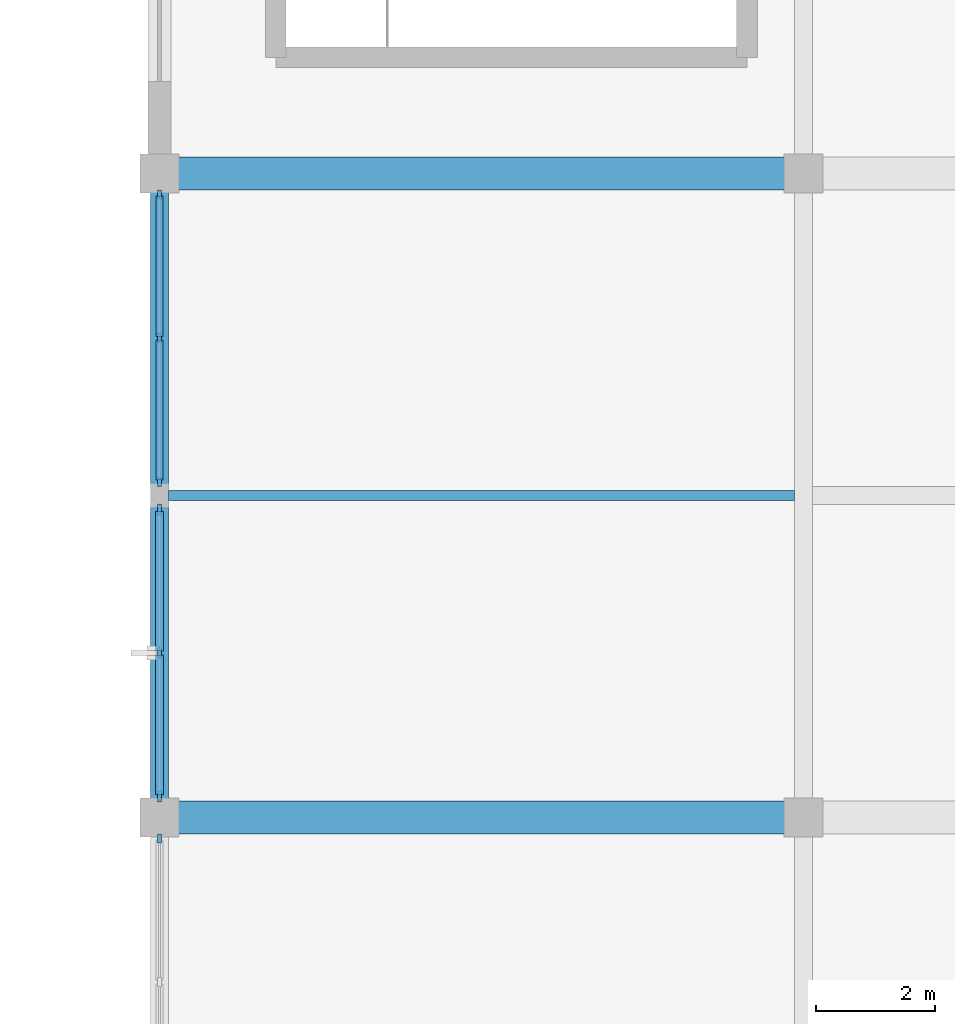
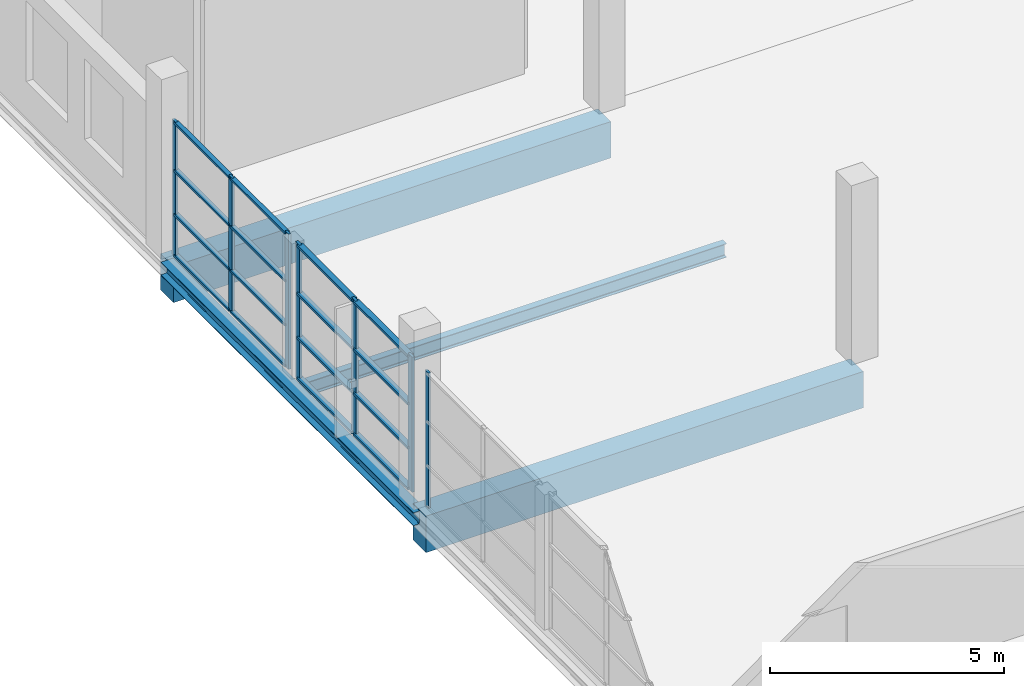
# One storey, part 67 of 142: 23 members, 4 beams, 3 elements without a shape of their own.
"""IFC4 building model written with IfcOpenShell, lengths in metres."""

from ifc_helpers import new_model, si_unit, direction, frame, origin, origin_2d, place, context, subcontext, project, spatial, rectangle, i_section, extrude, material, material_profile, profile_set, type_object, element, aggregate, save


model = new_model("IFC4")

# Units and contexts
model_context = context("Model", 3, precision=1e-05, world=origin(), true_north=direction((0.0, 1.0)))
body_context = subcontext(model_context, "Body", "Model", "MODEL_VIEW")
ifc_project = project(units=[si_unit("LENGTHUNIT", "METRE"), si_unit("AREAUNIT", "SQUARE_METRE"), si_unit("VOLUMEUNIT", "CUBIC_METRE"), si_unit("PLANEANGLEUNIT", "RADIAN"), si_unit("MASSUNIT", "GRAM", prefix="KILO")], contexts=[model_context])

# Site, building, storey
site_placement = place(None, origin())
site = spatial("IfcSite", under=ifc_project, at=site_placement, CompositionType="ELEMENT")
building_placement = place(site_placement, origin())
building = spatial("IfcBuilding", under=site, at=building_placement, Name="Zwinboog Wholesale Market", CompositionType="ELEMENT")
storey_placement = place(building_placement, frame((0.0, 0.0, 5.39990234375)))
storey = spatial("IfcBuildingStorey", under=building, at=storey_placement, Name="L01", CompositionType="ELEMENT", Elevation=5.39990234375)

# Beams
ifc_material_1 = material(Name="Precast concrete C45/55", Category="concrete")
ifc_material_profile_1 = material_profile(ifc_material_1, rectangle(XDim=0.550048828125, YDim=0.949951171875, at=origin_2d()), Name="PC 550x950")
ifc_profile_set_1 = profile_set([ifc_material_profile_1], Name="Precast concrete C45/55")
beam_type_1 = type_object("IfcBeamType", Name="BT-02", PredefinedType="BEAM", material=ifc_profile_set_1)
for number, where, z_axis, x_axis, name in (
    (1, (151.199951171875, 64.800048828125, -0.77978515625), (1.0, 0.0, 0.0), (0.0, 1.0, 0.0), "BG-02 (BMG-L01-1512-0648-0497)"),
    (2, (151.199951171875, 75.60009765625, -0.806884765625), (1.0, 0.0, 0.0), (0.0, 1.0, 0.0), "BG-02 (BMG-L01-1512-0756-0507)"),
):
    element("IfcBeam", number, at=place(storey_placement, frame(where, z_axis=z_axis, x_axis=x_axis)), inside=storey, type_object=beam_type_1, Name=name, PredefinedType="BEAM", context=body_context, shape_type="SweptSolid", body=[
        extrude(rectangle(XDim=0.550048828125, YDim=0.949951171875, at=origin_2d()), origin(), (0.0, 0.0, 1.0), 10.800048828125),
    ])
ifc_material_2 = material(Name="Steel S355", Category="steel")
ifc_material_profile_2 = material_profile(ifc_material_2, i_section(OverallWidth=0.300048828125, OverallDepth=0.35009765625, WebThickness=0.010009765625, FlangeThickness=0.017578125, FilletRadius=0.027099609375, at=origin_2d()), Name="HEA 360")
ifc_profile_set_2 = profile_set([ifc_material_profile_2], Name="Steel S355")
beam_type_2 = type_object("IfcBeamType", Name="BT-17", PredefinedType="BEAM", material=ifc_profile_set_2)
beam_1_placement = place(storey_placement, frame((151.199951171875, 64.800048828125, -0.5068359375), z_axis=(0.0, 1.0, 0.0), x_axis=(-1.0, 0.0, 0.0)))
element("IfcBeam", 3, at=beam_1_placement, inside=storey, type_object=beam_type_2, Name="SB-04 (BMG-L01-1512-0648-0727)", PredefinedType="BEAM", context=body_context, shape_type="SweptSolid", body=[
    extrude(i_section(OverallWidth=0.300048828125, OverallDepth=0.35009765625, WebThickness=0.010009765625, FlangeThickness=0.017578125, FilletRadius=0.027099609375, at=origin_2d()), origin(), (0.0, 0.0, 1.0), 10.800048828125),
])
ifc_material_profile_3 = material_profile(ifc_material_2, i_section(OverallWidth=0.169921875, OverallDepth=0.360107421875, WebThickness=0.008056640625, FlangeThickness=0.0126953125, FilletRadius=0.01806640625, at=origin_2d()), Name="IPE 360")
ifc_profile_set_3 = profile_set([ifc_material_profile_3], Name="Steel S355")
beam_type_3 = type_object("IfcBeamType", Name="BT-20", PredefinedType="JOIST", material=ifc_profile_set_3)
beam_2_placement = place(storey_placement, frame((151.35009765625, 70.199951171875, -0.48486328125), z_axis=(1.0, 0.0, 0.0), x_axis=(0.0, 1.0, 0.0)))
element("IfcBeam", 4, at=beam_2_placement, inside=storey, type_object=beam_type_3, Name="SJ-03 (BMG-L01-1514-0702-0848)", PredefinedType="JOIST", context=body_context, shape_type="SweptSolid", body=[
    extrude(i_section(OverallWidth=0.169921875, OverallDepth=0.360107421875, WebThickness=0.008056640625, FlangeThickness=0.0126953125, FilletRadius=0.01806640625, at=origin_2d()), origin(), (0.0, 0.0, 1.0), 10.5),
])

# Curtain wall, members
ifc_material_3 = material(Name="Aluminium thermally broken curtain wall", Category="aluminium")
curtain_wall_type_1 = type_object("IfcCurtainWallType", Name="CWT-HALL-24", PredefinedType="USERDEFINED", material=ifc_material_3)
curtain_wall_1_placement = place(storey_placement, origin())
curtain_wall_1 = element("IfcCurtainWall", 5, at=curtain_wall_1_placement, inside=storey, type_object=curtain_wall_type_1, Name="CW-03 (CW-L01-129)", ObjectType="UNITIZED_CURTAIN_WALL", PredefinedType="USERDEFINED")
ifc_material_4 = material(Name="Aluminium EN AW-6060", Category="aluminium")
ifc_material_profile_4 = material_profile(ifc_material_4, rectangle(XDim=0.06494140625, YDim=0.179931640625, at=origin_2d()), Name="AL 65x180")
ifc_profile_set_4 = profile_set([ifc_material_profile_4], Name="Aluminium EN AW-6060")
member_type_1 = type_object("IfcMemberType", Name="CWM-65x180", PredefinedType="MULLION", material=ifc_profile_set_4)
member_1_placement = place(storey_placement, frame((151.199951171875, 65.152587890625, 0.0), z_axis=(0.0, 0.0, 1.0), x_axis=(-1.0, 0.0, 0.0)))
member_1 = element("IfcMember", 6, at=member_1_placement, type_object=member_type_1, Name="CW-03 mullion 1", PredefinedType="MULLION", context=body_context, shape_type="SweptSolid", body=[
    extrude(rectangle(XDim=0.06494140625, YDim=0.179931640625, at=origin_2d()), origin(), (0.0, 0.0, 1.0), 3.530029296875),
])
member_2_placement = place(storey_placement, frame((151.199951171875, 67.56005859375, 0.0), z_axis=(0.0, 0.0, 1.0), x_axis=(-1.0, 0.0, 0.0)))
member_2 = element("IfcMember", 7, at=member_2_placement, type_object=member_type_1, Name="CW-03 mullion 2", PredefinedType="MULLION", context=body_context, shape_type="SweptSolid", body=[
    extrude(rectangle(XDim=0.06494140625, YDim=0.179931640625, at=origin_2d()), origin(), (0.0, 0.0, 1.0), 3.530029296875),
])
member_3_placement = place(storey_placement, frame((151.199951171875, 69.967529296875, 0.0), z_axis=(0.0, 0.0, 1.0), x_axis=(-1.0, 0.0, 0.0)))
member_3 = element("IfcMember", 8, at=member_3_placement, type_object=member_type_1, Name="CW-03 mullion 3", PredefinedType="MULLION", context=body_context, shape_type="SweptSolid", body=[
    extrude(rectangle(XDim=0.06494140625, YDim=0.179931640625, at=origin_2d()), origin(), (0.0, 0.0, 1.0), 3.530029296875),
])

# Curtain wall, member
curtain_wall_type_2 = type_object("IfcCurtainWallType", Name="CWT-STALL-20", PredefinedType="USERDEFINED", material=ifc_material_3)
curtain_wall_2_placement = place(storey_placement, origin())
curtain_wall_2 = element("IfcCurtainWall", 9, at=curtain_wall_2_placement, inside=storey, type_object=curtain_wall_type_2, Name="CW-02 (CW-L01-128)", ObjectType="STOREFRONT_GLAZING", PredefinedType="USERDEFINED")
ifc_material_profile_5 = material_profile(ifc_material_4, rectangle(XDim=0.06005859375, YDim=0.14990234375, at=origin_2d()), Name="AL 60x150")
ifc_profile_set_5 = profile_set([ifc_material_profile_5], Name="Aluminium EN AW-6060")
member_type_2 = type_object("IfcMemberType", Name="CWM-60x150", PredefinedType="MULLION", material=ifc_profile_set_5)
member_4_placement = place(storey_placement, frame((151.199951171875, 64.449951171875, 0.0), z_axis=(0.0, 0.0, 1.0), x_axis=(-1.0, 0.0, 0.0)))
member_4 = element("IfcMember", 10, at=member_4_placement, type_object=member_type_2, Name="CW-02 mullion 3", PredefinedType="MULLION", context=body_context, shape_type="SweptSolid", body=[
    extrude(rectangle(XDim=0.06005859375, YDim=0.14990234375, at=origin_2d()), origin(), (0.0, 0.0, 1.0), 3.530029296875),
])
aggregate(curtain_wall_2, [member_4])

# Curtain wall, members
curtain_wall_type_3 = type_object("IfcCurtainWallType", Name="CWT-GAL-16", PredefinedType="USERDEFINED", material=ifc_material_3)
curtain_wall_3_placement = place(storey_placement, origin())
curtain_wall_3 = element("IfcCurtainWall", 11, at=curtain_wall_3_placement, inside=storey, type_object=curtain_wall_type_3, Name="CW-04 (CW-L01-130)", ObjectType="UNITIZED_CURTAIN_WALL", PredefinedType="USERDEFINED")
member_5_placement = place(storey_placement, frame((151.199951171875, 70.429931640625, 0.0), z_axis=(0.0, 0.0, 1.0), x_axis=(-1.0, 0.0, 0.0)))
member_5 = element("IfcMember", 12, at=member_5_placement, type_object=member_type_2, Name="CW-04 mullion 1", PredefinedType="MULLION", context=body_context, shape_type="SweptSolid", body=[
    extrude(rectangle(XDim=0.06005859375, YDim=0.14990234375, at=origin_2d()), origin(), (0.0, 0.0, 1.0), 3.530029296875),
])
member_6_placement = place(storey_placement, frame((151.199951171875, 72.840087890625, 0.0), z_axis=(0.0, 0.0, 1.0), x_axis=(-1.0, 0.0, 0.0)))
member_6 = element("IfcMember", 13, at=member_6_placement, type_object=member_type_2, Name="CW-04 mullion 2", PredefinedType="MULLION", context=body_context, shape_type="SweptSolid", body=[
    extrude(rectangle(XDim=0.06005859375, YDim=0.14990234375, at=origin_2d()), origin(), (0.0, 0.0, 1.0), 3.530029296875),
])
member_7_placement = place(storey_placement, frame((151.199951171875, 75.25, 0.0), z_axis=(0.0, 0.0, 1.0), x_axis=(-1.0, 0.0, 0.0)))
member_7 = element("IfcMember", 14, at=member_7_placement, type_object=member_type_2, Name="CW-04 mullion 3", PredefinedType="MULLION", context=body_context, shape_type="SweptSolid", body=[
    extrude(rectangle(XDim=0.06005859375, YDim=0.14990234375, at=origin_2d()), origin(), (0.0, 0.0, 1.0), 3.530029296875),
])

# Member
ifc_material_profile_6 = material_profile(ifc_material_4, rectangle(XDim=0.139892578125, YDim=0.06494140625, at=origin_2d()), Name="AL 65x140")
ifc_profile_set_6 = profile_set([ifc_material_profile_6], Name="Aluminium EN AW-6060")
member_type_3 = type_object("IfcMemberType", Name="CWT-65x140", PredefinedType="USERDEFINED", material=ifc_profile_set_6)
member_8_placement = place(storey_placement, frame((151.199951171875, 65.18505859375, 0.03271484375), z_axis=(0.0, 1.0, 0.0), x_axis=(-1.0, 0.0, 0.0)))
member_8 = element("IfcMember", 15, at=member_8_placement, type_object=member_type_3, Name="CW-03 transom 1.1", ObjectType="TRANSOM", PredefinedType="USERDEFINED", context=body_context, shape_type="SweptSolid", body=[
    extrude(rectangle(XDim=0.139892578125, YDim=0.06494140625, at=origin_2d()), origin(), (0.0, 0.0, 1.0), 2.342529296875),
])

member_9_placement = place(storey_placement, frame((151.199951171875, 65.18505859375, 1.10009765625), z_axis=(0.0, 1.0, 0.0), x_axis=(-1.0, 0.0, 0.0)))
member_9 = element("IfcMember", 16, at=member_9_placement, type_object=member_type_3, Name="CW-03 transom 1.2", ObjectType="TRANSOM", PredefinedType="USERDEFINED", context=body_context, shape_type="SweptSolid", body=[
    extrude(rectangle(XDim=0.139892578125, YDim=0.06494140625, at=origin_2d()), origin(), (0.0, 0.0, 1.0), 2.342529296875),
])

member_10_placement = place(storey_placement, frame((151.199951171875, 65.18505859375, 2.25), z_axis=(0.0, 1.0, 0.0), x_axis=(-1.0, 0.0, 0.0)))
member_10 = element("IfcMember", 17, at=member_10_placement, type_object=member_type_3, Name="CW-03 transom 1.3", ObjectType="TRANSOM", PredefinedType="USERDEFINED", context=body_context, shape_type="SweptSolid", body=[
    extrude(rectangle(XDim=0.139892578125, YDim=0.06494140625, at=origin_2d()), origin(), (0.0, 0.0, 1.0), 2.342529296875),
])

member_11_placement = place(storey_placement, frame((151.199951171875, 65.18505859375, 3.49755859375), z_axis=(0.0, 1.0, 0.0), x_axis=(-1.0, 0.0, 0.0)))
member_11 = element("IfcMember", 18, at=member_11_placement, type_object=member_type_3, Name="CW-03 transom 1.4", ObjectType="TRANSOM", PredefinedType="USERDEFINED", context=body_context, shape_type="SweptSolid", body=[
    extrude(rectangle(XDim=0.139892578125, YDim=0.06494140625, at=origin_2d()), origin(), (0.0, 0.0, 1.0), 2.342529296875),
])

member_12_placement = place(storey_placement, frame((151.199951171875, 67.592529296875, 0.03271484375), z_axis=(0.0, 1.0, 0.0), x_axis=(-1.0, 0.0, 0.0)))
member_12 = element("IfcMember", 19, at=member_12_placement, type_object=member_type_3, Name="CW-03 transom 2.1", ObjectType="TRANSOM", PredefinedType="USERDEFINED", context=body_context, shape_type="SweptSolid", body=[
    extrude(rectangle(XDim=0.139892578125, YDim=0.06494140625, at=origin_2d()), origin(), (0.0, 0.0, 1.0), 2.342529296875),
])

member_13_placement = place(storey_placement, frame((151.199951171875, 67.592529296875, 1.10009765625), z_axis=(0.0, 1.0, 0.0), x_axis=(-1.0, 0.0, 0.0)))
member_13 = element("IfcMember", 20, at=member_13_placement, type_object=member_type_3, Name="CW-03 transom 2.2", ObjectType="TRANSOM", PredefinedType="USERDEFINED", context=body_context, shape_type="SweptSolid", body=[
    extrude(rectangle(XDim=0.139892578125, YDim=0.06494140625, at=origin_2d()), origin(), (0.0, 0.0, 1.0), 2.342529296875),
])

member_14_placement = place(storey_placement, frame((151.199951171875, 67.592529296875, 2.25), z_axis=(0.0, 1.0, 0.0), x_axis=(-1.0, 0.0, 0.0)))
member_14 = element("IfcMember", 21, at=member_14_placement, type_object=member_type_3, Name="CW-03 transom 2.3", ObjectType="TRANSOM", PredefinedType="USERDEFINED", context=body_context, shape_type="SweptSolid", body=[
    extrude(rectangle(XDim=0.139892578125, YDim=0.06494140625, at=origin_2d()), origin(), (0.0, 0.0, 1.0), 2.342529296875),
])

member_15_placement = place(storey_placement, frame((151.199951171875, 67.592529296875, 3.49755859375), z_axis=(0.0, 1.0, 0.0), x_axis=(-1.0, 0.0, 0.0)))
member_15 = element("IfcMember", 22, at=member_15_placement, type_object=member_type_3, Name="CW-03 transom 2.4", ObjectType="TRANSOM", PredefinedType="USERDEFINED", context=body_context, shape_type="SweptSolid", body=[
    extrude(rectangle(XDim=0.139892578125, YDim=0.06494140625, at=origin_2d()), origin(), (0.0, 0.0, 1.0), 2.342529296875),
])

aggregate(curtain_wall_1, [member_1, member_2, member_3, member_8, member_9, member_10, member_11, member_12, member_13, member_14, member_15])

ifc_material_profile_7 = material_profile(ifc_material_4, rectangle(XDim=0.110107421875, YDim=0.06005859375, at=origin_2d()), Name="AL 60x110")
ifc_profile_set_7 = profile_set([ifc_material_profile_7], Name="Aluminium EN AW-6060")
member_type_4 = type_object("IfcMemberType", Name="CWT-60x110", PredefinedType="USERDEFINED", material=ifc_profile_set_7)
member_16_placement = place(storey_placement, frame((151.199951171875, 70.4599609375, 0.030029296875), z_axis=(0.0, 1.0, 0.0), x_axis=(-1.0, 0.0, 0.0)))
member_16 = element("IfcMember", 23, at=member_16_placement, type_object=member_type_4, Name="CW-04 transom 1.1", ObjectType="TRANSOM", PredefinedType="USERDEFINED", context=body_context, shape_type="SweptSolid", body=[
    extrude(rectangle(XDim=0.110107421875, YDim=0.06005859375, at=origin_2d()), origin(), (0.0, 0.0, 1.0), 2.35009765625),
])

member_17_placement = place(storey_placement, frame((151.199951171875, 70.4599609375, 1.10009765625), z_axis=(0.0, 1.0, 0.0), x_axis=(-1.0, 0.0, 0.0)))
member_17 = element("IfcMember", 24, at=member_17_placement, type_object=member_type_4, Name="CW-04 transom 1.2", ObjectType="TRANSOM", PredefinedType="USERDEFINED", context=body_context, shape_type="SweptSolid", body=[
    extrude(rectangle(XDim=0.110107421875, YDim=0.06005859375, at=origin_2d()), origin(), (0.0, 0.0, 1.0), 2.35009765625),
])

member_18_placement = place(storey_placement, frame((151.199951171875, 70.4599609375, 2.25), z_axis=(0.0, 1.0, 0.0), x_axis=(-1.0, 0.0, 0.0)))
member_18 = element("IfcMember", 25, at=member_18_placement, type_object=member_type_4, Name="CW-04 transom 1.3", ObjectType="TRANSOM", PredefinedType="USERDEFINED", context=body_context, shape_type="SweptSolid", body=[
    extrude(rectangle(XDim=0.110107421875, YDim=0.06005859375, at=origin_2d()), origin(), (0.0, 0.0, 1.0), 2.35009765625),
])

member_19_placement = place(storey_placement, frame((151.199951171875, 70.4599609375, 3.5), z_axis=(0.0, 1.0, 0.0), x_axis=(-1.0, 0.0, 0.0)))
member_19 = element("IfcMember", 26, at=member_19_placement, type_object=member_type_4, Name="CW-04 transom 1.4", ObjectType="TRANSOM", PredefinedType="USERDEFINED", context=body_context, shape_type="SweptSolid", body=[
    extrude(rectangle(XDim=0.110107421875, YDim=0.06005859375, at=origin_2d()), origin(), (0.0, 0.0, 1.0), 2.35009765625),
])

member_20_placement = place(storey_placement, frame((151.199951171875, 72.8701171875, 0.030029296875), z_axis=(0.0, 1.0, 0.0), x_axis=(-1.0, 0.0, 0.0)))
member_20 = element("IfcMember", 27, at=member_20_placement, type_object=member_type_4, Name="CW-04 transom 2.1", ObjectType="TRANSOM", PredefinedType="USERDEFINED", context=body_context, shape_type="SweptSolid", body=[
    extrude(rectangle(XDim=0.110107421875, YDim=0.06005859375, at=origin_2d()), origin(), (0.0, 0.0, 1.0), 2.349853515625),
])

member_21_placement = place(storey_placement, frame((151.199951171875, 72.8701171875, 1.10009765625), z_axis=(0.0, 1.0, 0.0), x_axis=(-1.0, 0.0, 0.0)))
member_21 = element("IfcMember", 28, at=member_21_placement, type_object=member_type_4, Name="CW-04 transom 2.2", ObjectType="TRANSOM", PredefinedType="USERDEFINED", context=body_context, shape_type="SweptSolid", body=[
    extrude(rectangle(XDim=0.110107421875, YDim=0.06005859375, at=origin_2d()), origin(), (0.0, 0.0, 1.0), 2.349853515625),
])

member_22_placement = place(storey_placement, frame((151.199951171875, 72.8701171875, 2.25), z_axis=(0.0, 1.0, 0.0), x_axis=(-1.0, 0.0, 0.0)))
member_22 = element("IfcMember", 29, at=member_22_placement, type_object=member_type_4, Name="CW-04 transom 2.3", ObjectType="TRANSOM", PredefinedType="USERDEFINED", context=body_context, shape_type="SweptSolid", body=[
    extrude(rectangle(XDim=0.110107421875, YDim=0.06005859375, at=origin_2d()), origin(), (0.0, 0.0, 1.0), 2.349853515625),
])

member_23_placement = place(storey_placement, frame((151.199951171875, 72.8701171875, 3.5), z_axis=(0.0, 1.0, 0.0), x_axis=(-1.0, 0.0, 0.0)))
member_23 = element("IfcMember", 30, at=member_23_placement, type_object=member_type_4, Name="CW-04 transom 2.4", ObjectType="TRANSOM", PredefinedType="USERDEFINED", context=body_context, shape_type="SweptSolid", body=[
    extrude(rectangle(XDim=0.110107421875, YDim=0.06005859375, at=origin_2d()), origin(), (0.0, 0.0, 1.0), 2.349853515625),
])

aggregate(curtain_wall_3, [member_5, member_6, member_7, member_16, member_17, member_18, member_19, member_20, member_21, member_22, member_23])

save(model, "model.ifc")
